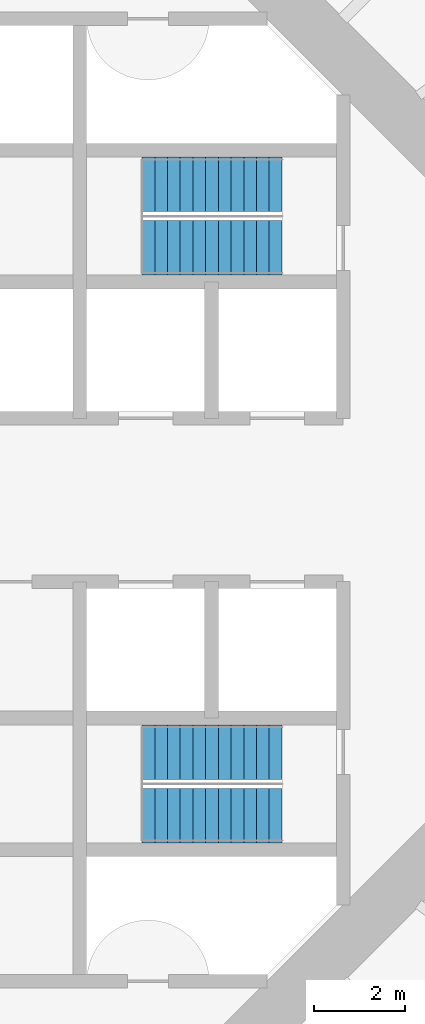
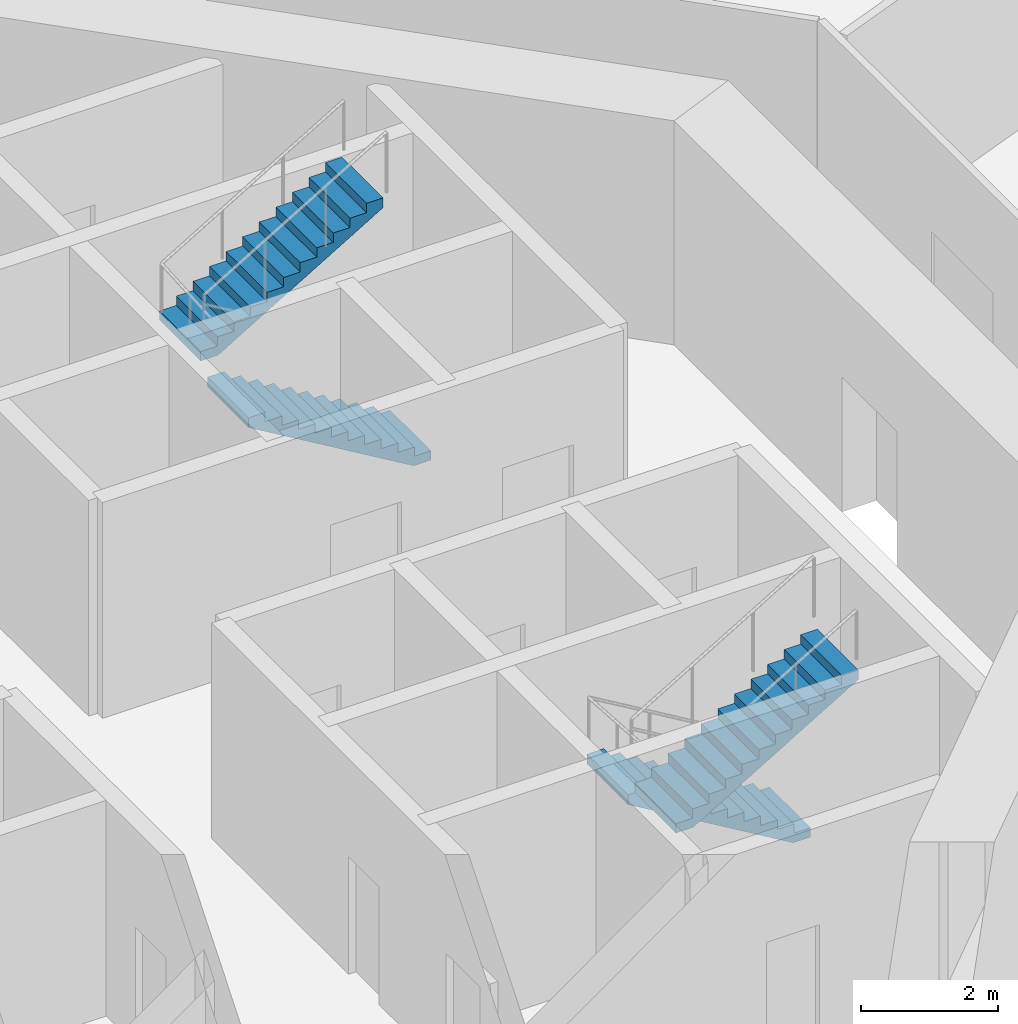
# One storey, part 6 of 13: 4 stair flights, 2 elements without a shape of their own.
"""IFC4 building model written with IfcOpenShell, lengths in metres."""

from ifc_helpers import new_model, si_unit, direction, frame, origin, place, context, subcontext, project, spatial, polyline, outline, extrude, material, type_object, element, aggregate, save


model = new_model("IFC4")

# Units and contexts
model_context = context("Model", 3, precision=1e-05, world=origin(), true_north=direction((0.0, 1.0)))
body_context = subcontext(model_context, "Body", "Model", "MODEL_VIEW")
ifc_project = project(units=[si_unit("LENGTHUNIT", "METRE"), si_unit("AREAUNIT", "SQUARE_METRE"), si_unit("VOLUMEUNIT", "CUBIC_METRE"), si_unit("PLANEANGLEUNIT", "RADIAN"), si_unit("MASSUNIT", "GRAM", prefix="KILO")], contexts=[model_context])

# Site, building, storey
site_placement = place(None, origin())
site = spatial("IfcSite", under=ifc_project, at=site_placement, CompositionType="ELEMENT")
building_placement = place(site_placement, origin())
building = spatial("IfcBuilding", under=site, at=building_placement, Name="Entoto Ring Tower", CompositionType="ELEMENT")
storey_placement = place(building_placement, frame((0.0, 0.0, 108.0)))
storey = spatial("IfcBuildingStorey", under=building, at=storey_placement, Name="L24", CompositionType="ELEMENT", Elevation=108.0)

# Stair, stair flights
ifc_material_1 = material(Name="Concrete C40/50", Category="concrete")
stair_type = type_object("IfcStairType", Name="Exit stair 1200 mm dog-leg reinforced concrete", PredefinedType="HALF_TURN_STAIR", material=ifc_material_1)
stair_1_placement = place(storey_placement, origin())
stair_1 = element("IfcStair", 1, at=stair_1_placement, inside=storey, type_object=stair_type, Name="Exit stair 1", PredefinedType="HALF_TURN_STAIR")
ifc_material_2 = material(Name="Concrete C40/50", Category="concrete")
stair_flight_type = type_object("IfcStairFlightType", Name="Stair flight 1200 mm reinforced concrete", PredefinedType="STRAIGHT", material=ifc_material_2)
stair_flight_1_placement = place(storey_placement, frame((99.25, 85.550048828125, 0.0), z_axis=(0.0, 0.0, 1.0), x_axis=(-1.0, 0.0, 0.0)))
stair_flight_1 = element("IfcStairFlight", 2, at=stair_flight_1_placement, type_object=stair_flight_type, Name="ST1 flight 1", NumberOfRisers=12, NumberOfTreads=11, PredefinedType="STRAIGHT", RiserHeight=0.166666667, TreadLength=0.28, context=body_context, shape_type="SweptSolid", body=[
    extrude(outline(polyline([(0.0, 0.0), (0.0, 0.166748046875), (0.280029296875, 0.166748046875), (0.280029296875, 0.333251953125), (0.56005859375, 0.333251953125), (0.56005859375, 0.5), (0.840087890625, 0.5), (0.840087890625, 0.666748046875), (1.1201171875, 0.666748046875), (1.1201171875, 0.833251953125), (1.39990234375, 0.833251953125), (1.39990234375, 1.0), (1.679931640625, 1.0), (1.679931640625, 1.166748046875), (1.9599609375, 1.166748046875), (1.9599609375, 1.333251953125), (2.239990234375, 1.333251953125), (2.239990234375, 1.5), (2.52001953125, 1.5), (2.52001953125, 1.666748046875), (2.800048828125, 1.666748046875), (2.800048828125, 1.833251953125), (3.080078125, 1.833251953125), (3.080078125, 2.0), (3.080078125, 1.658935546875), (0.29296875, 0.0), (0.0, 0.0)])), frame((0.0, 0.60009765625, 0.0), z_axis=(0.0, -1.0, 0.0), x_axis=(1.0, 0.0, 0.0)), (0.0, 0.0, 1.0), 1.199951171875),
])
stair_flight_2_placement = place(storey_placement, frame((96.169921875, 86.949951171875, 2.0), z_axis=(0.0, 0.0, 1.0), x_axis=(1.0, 0.0, 0.0)))
stair_flight_2 = element("IfcStairFlight", 3, at=stair_flight_2_placement, type_object=stair_flight_type, Name="ST1 flight 2", NumberOfRisers=12, NumberOfTreads=11, PredefinedType="STRAIGHT", RiserHeight=0.166666667, TreadLength=0.28, context=body_context, shape_type="SweptSolid", body=[
    extrude(outline(polyline([(0.0, 0.0), (0.0, 0.166748046875), (0.280029296875, 0.166748046875), (0.280029296875, 0.333251953125), (0.56005859375, 0.333251953125), (0.56005859375, 0.5), (0.840087890625, 0.5), (0.840087890625, 0.666748046875), (1.1201171875, 0.666748046875), (1.1201171875, 0.833251953125), (1.39990234375, 0.833251953125), (1.39990234375, 1.0), (1.679931640625, 1.0), (1.679931640625, 1.166748046875), (1.9599609375, 1.166748046875), (1.9599609375, 1.333251953125), (2.239990234375, 1.333251953125), (2.239990234375, 1.5), (2.52001953125, 1.5), (2.52001953125, 1.666748046875), (2.800048828125, 1.666748046875), (2.800048828125, 1.833251953125), (3.080078125, 1.833251953125), (3.080078125, 2.0), (3.080078125, 1.658935546875), (0.29296875, 0.0), (0.0, 0.0)])), frame((0.0, 0.60009765625, 0.0), z_axis=(0.0, -1.0, 0.0), x_axis=(1.0, 0.0, 0.0)), (0.0, 0.0, 1.0), 1.199951171875),
])
aggregate(stair_1, [stair_flight_1, stair_flight_2])

stair_2_placement = place(storey_placement, origin())
stair_2 = element("IfcStair", 4, at=stair_2_placement, inside=storey, type_object=stair_type, Name="Exit stair 3", PredefinedType="HALF_TURN_STAIR")
stair_flight_3_placement = place(storey_placement, frame((99.25, 74.449951171875, 0.0), z_axis=(0.0, 0.0, 1.0), x_axis=(-1.0, 0.0, 0.0)))
stair_flight_3 = element("IfcStairFlight", 5, at=stair_flight_3_placement, type_object=stair_flight_type, Name="ST3 flight 1", NumberOfRisers=12, NumberOfTreads=11, PredefinedType="STRAIGHT", RiserHeight=0.166666667, TreadLength=0.28, context=body_context, shape_type="SweptSolid", body=[
    extrude(outline(polyline([(0.0, 0.0), (0.0, 0.166748046875), (0.280029296875, 0.166748046875), (0.280029296875, 0.333251953125), (0.56005859375, 0.333251953125), (0.56005859375, 0.5), (0.840087890625, 0.5), (0.840087890625, 0.666748046875), (1.1201171875, 0.666748046875), (1.1201171875, 0.833251953125), (1.39990234375, 0.833251953125), (1.39990234375, 1.0), (1.679931640625, 1.0), (1.679931640625, 1.166748046875), (1.9599609375, 1.166748046875), (1.9599609375, 1.333251953125), (2.239990234375, 1.333251953125), (2.239990234375, 1.5), (2.52001953125, 1.5), (2.52001953125, 1.666748046875), (2.800048828125, 1.666748046875), (2.800048828125, 1.833251953125), (3.080078125, 1.833251953125), (3.080078125, 2.0), (3.080078125, 1.658935546875), (0.29296875, 0.0), (0.0, 0.0)])), frame((0.0, 0.60009765625, 0.0), z_axis=(0.0, -1.0, 0.0), x_axis=(1.0, 0.0, 0.0)), (0.0, 0.0, 1.0), 1.199951171875),
])
stair_flight_4_placement = place(storey_placement, frame((96.169921875, 73.050048828125, 2.0), z_axis=(0.0, 0.0, 1.0), x_axis=(1.0, 0.0, 0.0)))
stair_flight_4 = element("IfcStairFlight", 6, at=stair_flight_4_placement, type_object=stair_flight_type, Name="ST3 flight 2", NumberOfRisers=12, NumberOfTreads=11, PredefinedType="STRAIGHT", RiserHeight=0.166666667, TreadLength=0.28, context=body_context, shape_type="SweptSolid", body=[
    extrude(outline(polyline([(0.0, 0.0), (0.0, 0.166748046875), (0.280029296875, 0.166748046875), (0.280029296875, 0.333251953125), (0.56005859375, 0.333251953125), (0.56005859375, 0.5), (0.840087890625, 0.5), (0.840087890625, 0.666748046875), (1.1201171875, 0.666748046875), (1.1201171875, 0.833251953125), (1.39990234375, 0.833251953125), (1.39990234375, 1.0), (1.679931640625, 1.0), (1.679931640625, 1.166748046875), (1.9599609375, 1.166748046875), (1.9599609375, 1.333251953125), (2.239990234375, 1.333251953125), (2.239990234375, 1.5), (2.52001953125, 1.5), (2.52001953125, 1.666748046875), (2.800048828125, 1.666748046875), (2.800048828125, 1.833251953125), (3.080078125, 1.833251953125), (3.080078125, 2.0), (3.080078125, 1.658935546875), (0.29296875, 0.0), (0.0, 0.0)])), frame((0.0, 0.60009765625, 0.0), z_axis=(0.0, -1.0, 0.0), x_axis=(1.0, 0.0, 0.0)), (0.0, 0.0, 1.0), 1.199951171875),
])
aggregate(stair_2, [stair_flight_3, stair_flight_4])

save(model, "model.ifc")
